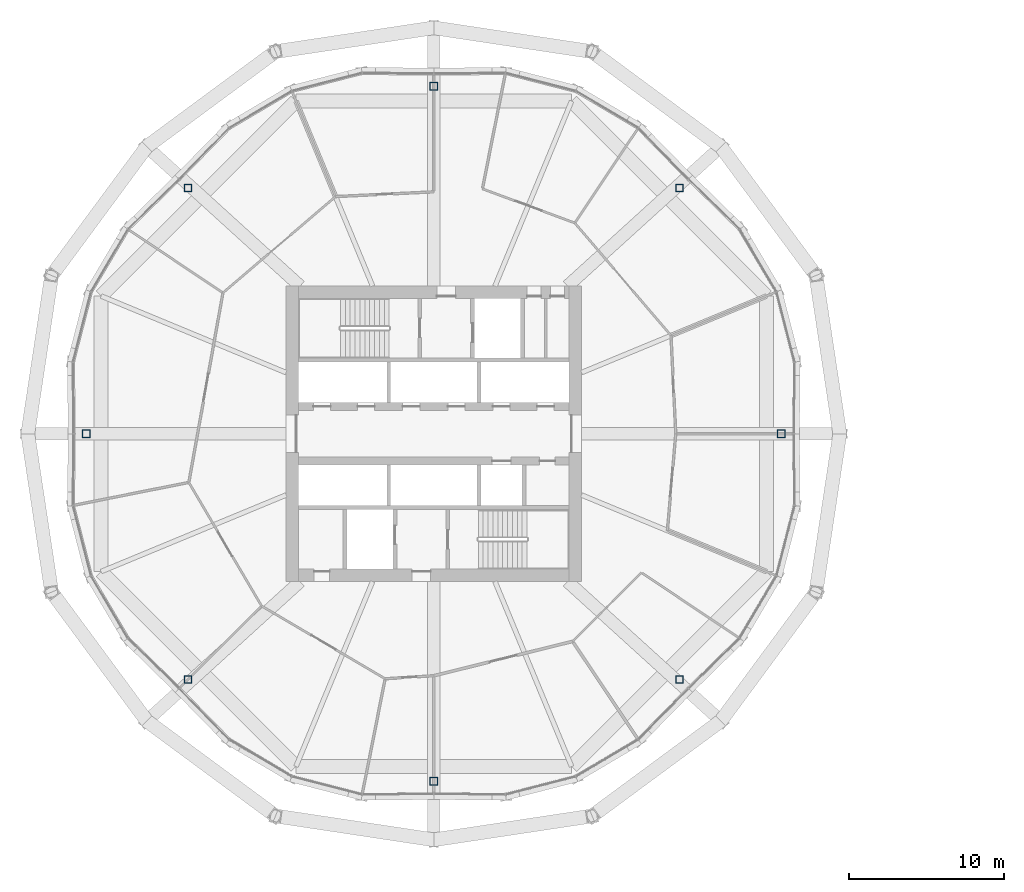
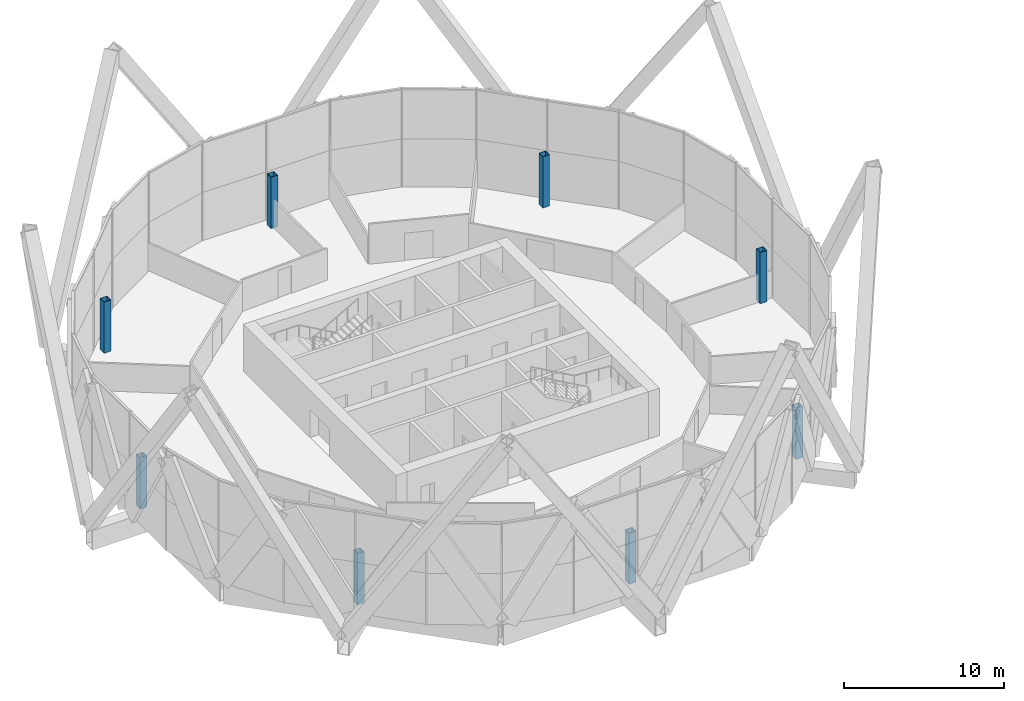
# One storey, part 1 of 28: 8 columns.
"""IFC4 building model written with IfcOpenShell, lengths in metres."""

from ifc_helpers import new_model, si_unit, direction, frame, origin, origin_2d, place, context, subcontext, project, spatial, hollow_rectangle, extrude, material, material_profile, profile_set, type_object, element, save


model = new_model("IFC4")

# Units and contexts
model_context = context("Model", 3, precision=1e-05, world=origin(), true_north=direction((0.0, 1.0)))
body_context = subcontext(model_context, "Body", "Model", "MODEL_VIEW")
ifc_project = project(units=[si_unit("LENGTHUNIT", "METRE"), si_unit("AREAUNIT", "SQUARE_METRE"), si_unit("VOLUMEUNIT", "CUBIC_METRE"), si_unit("PLANEANGLEUNIT", "RADIAN"), si_unit("MASSUNIT", "GRAM", prefix="KILO")], contexts=[model_context])

# Site, building, storey
site_placement = place(None, origin())
site = spatial("IfcSite", under=ifc_project, at=site_placement, CompositionType="ELEMENT")
building_placement = place(site_placement, origin())
building = spatial("IfcBuilding", under=site, at=building_placement, Name="Ogive Gate Towers", CompositionType="ELEMENT")
storey_placement = place(building_placement, frame((0.0, 0.0, 115.199951171875)))
storey = spatial("IfcBuildingStorey", under=building, at=storey_placement, Name="L27", CompositionType="ELEMENT", Elevation=115.199951171875)

# Columns
ifc_material = material(Name="Steel SM460", Category="steel")
ifc_material_profile = material_profile(ifc_material, hollow_rectangle(XDim=0.5, YDim=0.5, WallThickness=0.030029296875, at=origin_2d()), Name="BX 500x500x30")
ifc_profile_set = profile_set([ifc_material_profile], Name="Steel SM460")
column_type = type_object("IfcColumnType", Name="Perimeter post BX 500x500x30", PredefinedType="COLUMN", material=ifc_profile_set)
for number, where, z_axis, x_axis, name in (
    (1, (-13.64990234375, 0.0, 0.0), (0.0, 0.0, 1.0), (1.0, 0.0, 0.0), "T1/L27/SCL001"),
    (2, (-20.196044921875, 15.803955078125, 0.0), (0.0, 0.0, 1.0), (1.0, 0.0, 0.0), "T1/L27/SCL002"),
    (3, (-36.0, 22.35009765625, 0.0), (0.0, 0.0, 1.0), (1.0, 0.0, 0.0), "T1/L27/SCL003"),
    (4, (-51.803955078125, 15.803955078125, 0.0), (0.0, 0.0, 1.0), (1.0, 0.0, 0.0), "T1/L27/SCL004"),
    (5, (-58.35009765625, 0.0, 0.0), (0.0, 0.0, 1.0), (1.0, 0.0, 0.0), "T1/L27/SCL005"),
    (6, (-51.803955078125, -15.803955078125, 0.0), (0.0, 0.0, 1.0), (1.0, 0.0, 0.0), "T1/L27/SCL006"),
    (7, (-36.0, -22.35009765625, 0.0), (0.0, 0.0, 1.0), (1.0, 0.0, 0.0), "T1/L27/SCL007"),
    (8, (-20.196044921875, -15.803955078125, 0.0), (0.0, 0.0, 1.0), (1.0, 0.0, 0.0), "T1/L27/SCL008"),
):
    element("IfcColumn", number, at=place(storey_placement, frame(where, z_axis=z_axis, x_axis=x_axis)), inside=storey, type_object=column_type, Name=name, PredefinedType="COLUMN", context=body_context, shape_type="SweptSolid", body=[
        extrude(hollow_rectangle(XDim=0.5, YDim=0.5, WallThickness=0.030029296875, at=origin_2d()), origin(), (0.0, 0.0, 1.0), 3.900146484375),
    ])

save(model, "model.ifc")
